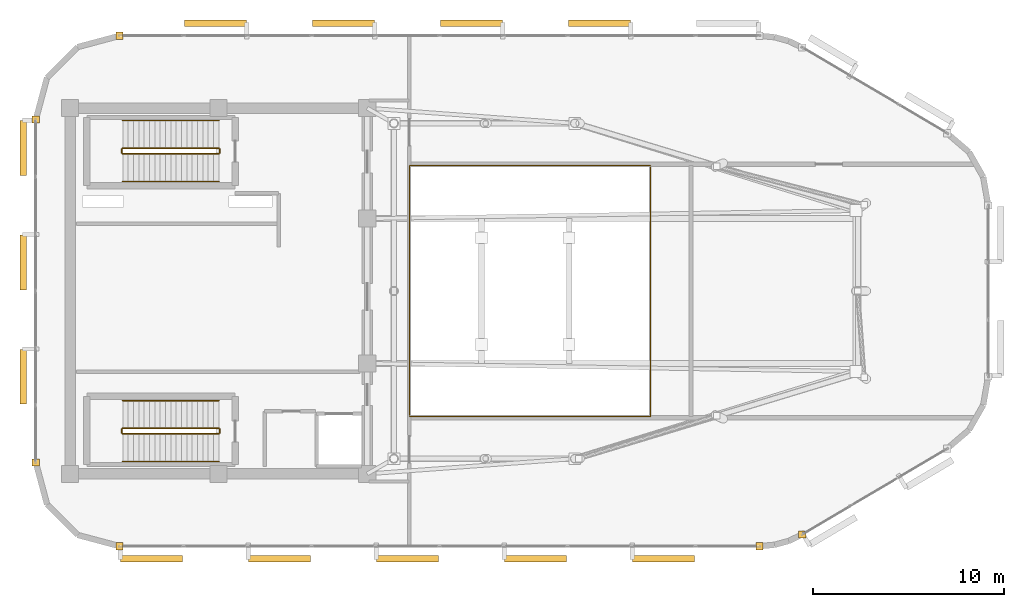
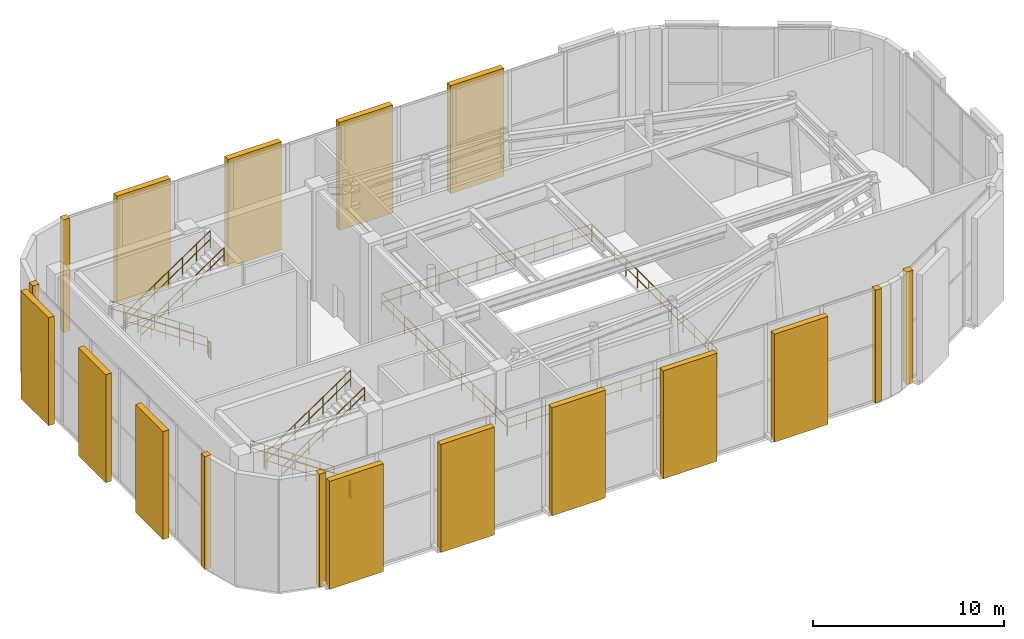
# One storey, part 19 of 20: 14 railings, 12 shading devices, 6 coverings.
"""IFC4 building model written with IfcOpenShell, lengths in metres."""

from ifc_helpers import new_model, si_unit, direction, frame, origin, origin_2d, place, context, subcontext, project, spatial, rectangle, circle, extrude, material, layer, layer_set, type_object, element, save


model = new_model("IFC4")

# Units and contexts
model_context = context("Model", 3, precision=1e-05, world=origin(), true_north=direction((0.0, 1.0)))
body_context = subcontext(model_context, "Body", "Model", "MODEL_VIEW")
ifc_project = project(units=[si_unit("LENGTHUNIT", "METRE"), si_unit("AREAUNIT", "SQUARE_METRE"), si_unit("VOLUMEUNIT", "CUBIC_METRE"), si_unit("PLANEANGLEUNIT", "RADIAN"), si_unit("MASSUNIT", "GRAM", prefix="KILO")], contexts=[model_context])

# Site, building, storey
site_placement = place(None, origin())
site = spatial("IfcSite", under=ifc_project, at=site_placement, CompositionType="ELEMENT")
building_placement = place(site_placement, origin())
building = spatial("IfcBuilding", under=site, at=building_placement, Name="An Khanh Terracotta Commons", CompositionType="ELEMENT")
storey_placement = place(building_placement, frame((0.0, 0.0, 308.0)))
storey = spatial("IfcBuildingStorey", under=building, at=storey_placement, Name="L79 Crown Damper Gallery", CompositionType="ELEMENT", Elevation=308.0)

# Coverings
ifc_material_1 = material(Name="Fired Terracotta Rainscreen Cladding", Category="masonry")
ifc_layer = layer(ifc_material_1, 0.080078125, Name="Fired Terracotta Rainscreen Cladding")
ifc_layer_set = layer_set([ifc_layer], Name="Fired Terracotta Rainscreen Cladding")
covering_type = type_object("IfcCoveringType", Name="COV-JAMB-TERRA", PredefinedType="CLADDING", material=ifc_layer_set)
for number, where, z_axis, x_axis, name in (
    (1, (24.199951171875, 10.60009765625, 0.0), (0.0, 0.0, 1.0), (1.0, 0.0, 0.0), "L79 Crown Damper Gallery CW-05 Curtain-Wall Jamb Closure JA"),
    (2, (57.7939453125, 10.60009765625, 0.0), (0.0, 0.0, 1.0), (1.0, 0.0, 0.0), "L79 Crown Damper Gallery CW-05 Curtain-Wall Jamb Closure JB"),
    (3, (60.037109375, 11.215087890625, 0.0), (0.0, 0.0, 1.0), (1.0, 0.0, 0.0), "L79 Crown Damper Gallery CW-05 Curtain-Wall Jamb Closure JA"),
    (4, (24.199951171875, 37.39990234375, 0.0), (0.0, 0.0, 1.0), (1.0, 0.0, 0.0), "L79 Crown Damper Gallery CW-05 Curtain-Wall Jamb Closure JB"),
    (5, (19.800048828125, 33.0, 0.0), (0.0, 0.0, 1.0), (1.0, 0.0, 0.0), "L79 Crown Damper Gallery CW-05 Curtain-Wall Jamb Closure JA"),
    (6, (19.800048828125, 15.0, 0.0), (0.0, 0.0, 1.0), (1.0, 0.0, 0.0), "L79 Crown Damper Gallery CW-05 Curtain-Wall Jamb Closure JB"),
):
    element("IfcCovering", number, at=place(storey_placement, frame(where, z_axis=z_axis, x_axis=x_axis)), inside=storey, type_object=covering_type, Name=name, PredefinedType="CLADDING", context=body_context, shape_type="SweptSolid", body=[
        extrude(rectangle(XDim=0.3798828125, YDim=0.3798828125, at=origin_2d()), origin(), (0.0, 0.0, 1.0), 7.199951171875),
    ])

# Railings
ifc_material_2 = material(Name="Brushed Stainless Steel 316", Category="steel")
railing_type_1 = type_object("IfcRailingType", Name="RAIL-HANDRAIL-900", PredefinedType="HANDRAIL", material=ifc_material_2)
railing_1_placement = place(storey_placement, frame((29.409912109375, 32.949951171875, 0.189453125)))
element("IfcRailing", 7, at=railing_1_placement, inside=storey, type_object=railing_type_1, Name="L79 Crown Damper Gallery ST-01 stair handrail 1", PredefinedType="HANDRAIL", context=body_context, shape_type="SweptSolid", body=[
    extrude(circle(Radius=0.02392578125, at=origin_2d()), frame((0.0, 0.0, 0.8759765625), z_axis=(-0.828178803294, 0.0, 0.560463977233), x_axis=(0.0, -1.0, 0.0)), (0.0, 0.0, 1.0), 6.08544921875),
    extrude(circle(Radius=0.02392578125, at=origin_2d()), frame((0.0, 0.0, 0.42578125), z_axis=(-0.828178803294, 0.0, 0.560463977233), x_axis=(0.0, -1.0, 0.0)), (0.0, 0.0, 1.0), 6.08544921875),
    extrude(circle(Radius=0.02099609375, at=origin_2d()), origin(), (0.0, 0.0, 1.0), 0.851806640625),
    extrude(circle(Radius=0.02099609375, at=origin_2d()), frame((-0.83984375, 0.0, 0.568359375)), (0.0, 0.0, 1.0), 0.851806640625),
    extrude(circle(Radius=0.02099609375, at=origin_2d()), frame((-1.679931640625, 0.0, 1.136962890625)), (0.0, 0.0, 1.0), 0.851806640625),
    extrude(circle(Radius=0.02099609375, at=origin_2d()), frame((-2.52001953125, 0.0, 1.705322265625)), (0.0, 0.0, 1.0), 0.851806640625),
    extrude(circle(Radius=0.02099609375, at=origin_2d()), frame((-3.35986328125, 0.0, 2.273681640625)), (0.0, 0.0, 1.0), 0.851806640625),
    extrude(circle(Radius=0.02099609375, at=origin_2d()), frame((-4.19970703125, 0.0, 2.84228515625)), (0.0, 0.0, 1.0), 0.851806640625),
    extrude(circle(Radius=0.02099609375, at=origin_2d()), frame((-5.039794921875, 0.0, 3.41064453125)), (0.0, 0.0, 1.0), 0.851806640625),
])
railing_2_placement = place(storey_placement, frame((24.3701171875, 29.75, 3.78955078125)))
element("IfcRailing", 8, at=railing_2_placement, inside=storey, type_object=railing_type_1, Name="L79 Crown Damper Gallery ST-01 stair handrail 2", PredefinedType="HANDRAIL", context=body_context, shape_type="SweptSolid", body=[
    extrude(circle(Radius=0.02392578125, at=origin_2d()), frame((0.0, 0.0, 0.8759765625), z_axis=(0.828197425118, 0.0, 0.560436459404), x_axis=(0.0, 1.0, 0.0)), (0.0, 0.0, 1.0), 6.085205078125),
    extrude(circle(Radius=0.02392578125, at=origin_2d()), frame((0.0, 0.0, 0.42578125), z_axis=(0.828197425118, 0.0, 0.560436459404), x_axis=(0.0, 1.0, 0.0)), (0.0, 0.0, 1.0), 6.085205078125),
    extrude(circle(Radius=0.02099609375, at=origin_2d()), origin(), (0.0, 0.0, 1.0), 0.851806640625),
    extrude(circle(Radius=0.02099609375, at=origin_2d()), frame((0.83984375, 0.0, 0.568359375)), (0.0, 0.0, 1.0), 0.851806640625),
    extrude(circle(Radius=0.02099609375, at=origin_2d()), frame((1.679931640625, 0.0, 1.13671875)), (0.0, 0.0, 1.0), 0.851806640625),
    extrude(circle(Radius=0.02099609375, at=origin_2d()), frame((2.52001953125, 0.0, 1.705078125)), (0.0, 0.0, 1.0), 0.851806640625),
    extrude(circle(Radius=0.02099609375, at=origin_2d()), frame((3.35986328125, 0.0, 2.273681640625)), (0.0, 0.0, 1.0), 0.851806640625),
    extrude(circle(Radius=0.02099609375, at=origin_2d()), frame((4.19970703125, 0.0, 2.842041015625)), (0.0, 0.0, 1.0), 0.851806640625),
    extrude(circle(Radius=0.02099609375, at=origin_2d()), frame((5.039794921875, 0.0, 3.410400390625)), (0.0, 0.0, 1.0), 0.851806640625),
])
railing_3_placement = place(storey_placement, frame((29.409912109375, 18.25, 0.189453125)))
element("IfcRailing", 9, at=railing_3_placement, inside=storey, type_object=railing_type_1, Name="L79 Crown Damper Gallery ST-02 stair handrail 1", PredefinedType="HANDRAIL", context=body_context, shape_type="SweptSolid", body=[
    extrude(circle(Radius=0.02392578125, at=origin_2d()), frame((0.0, 0.0, 0.8759765625), z_axis=(-0.828178803294, 0.0, 0.560463977233), x_axis=(0.0, -1.0, 0.0)), (0.0, 0.0, 1.0), 6.08544921875),
    extrude(circle(Radius=0.02392578125, at=origin_2d()), frame((0.0, 0.0, 0.42578125), z_axis=(-0.828178803294, 0.0, 0.560463977233), x_axis=(0.0, -1.0, 0.0)), (0.0, 0.0, 1.0), 6.08544921875),
    extrude(circle(Radius=0.02099609375, at=origin_2d()), origin(), (0.0, 0.0, 1.0), 0.851806640625),
    extrude(circle(Radius=0.02099609375, at=origin_2d()), frame((-0.83984375, 0.0, 0.568359375)), (0.0, 0.0, 1.0), 0.851806640625),
    extrude(circle(Radius=0.02099609375, at=origin_2d()), frame((-1.679931640625, 0.0, 1.136962890625)), (0.0, 0.0, 1.0), 0.851806640625),
    extrude(circle(Radius=0.02099609375, at=origin_2d()), frame((-2.52001953125, 0.0, 1.705322265625)), (0.0, 0.0, 1.0), 0.851806640625),
    extrude(circle(Radius=0.02099609375, at=origin_2d()), frame((-3.35986328125, 0.0, 2.273681640625)), (0.0, 0.0, 1.0), 0.851806640625),
    extrude(circle(Radius=0.02099609375, at=origin_2d()), frame((-4.19970703125, 0.0, 2.84228515625)), (0.0, 0.0, 1.0), 0.851806640625),
    extrude(circle(Radius=0.02099609375, at=origin_2d()), frame((-5.039794921875, 0.0, 3.41064453125)), (0.0, 0.0, 1.0), 0.851806640625),
])
railing_4_placement = place(storey_placement, frame((24.3701171875, 15.050048828125, 3.78955078125)))
element("IfcRailing", 10, at=railing_4_placement, inside=storey, type_object=railing_type_1, Name="L79 Crown Damper Gallery ST-02 stair handrail 2", PredefinedType="HANDRAIL", context=body_context, shape_type="SweptSolid", body=[
    extrude(circle(Radius=0.02392578125, at=origin_2d()), frame((0.0, 0.0, 0.8759765625), z_axis=(0.828197425118, 0.0, 0.560436459404), x_axis=(0.0, 1.0, 0.0)), (0.0, 0.0, 1.0), 6.085205078125),
    extrude(circle(Radius=0.02392578125, at=origin_2d()), frame((0.0, 0.0, 0.42578125), z_axis=(0.828197425118, 0.0, 0.560436459404), x_axis=(0.0, 1.0, 0.0)), (0.0, 0.0, 1.0), 6.085205078125),
    extrude(circle(Radius=0.02099609375, at=origin_2d()), origin(), (0.0, 0.0, 1.0), 0.851806640625),
    extrude(circle(Radius=0.02099609375, at=origin_2d()), frame((0.83984375, 0.0, 0.568359375)), (0.0, 0.0, 1.0), 0.851806640625),
    extrude(circle(Radius=0.02099609375, at=origin_2d()), frame((1.679931640625, 0.0, 1.13671875)), (0.0, 0.0, 1.0), 0.851806640625),
    extrude(circle(Radius=0.02099609375, at=origin_2d()), frame((2.52001953125, 0.0, 1.705078125)), (0.0, 0.0, 1.0), 0.851806640625),
    extrude(circle(Radius=0.02099609375, at=origin_2d()), frame((3.35986328125, 0.0, 2.273681640625)), (0.0, 0.0, 1.0), 0.851806640625),
    extrude(circle(Radius=0.02099609375, at=origin_2d()), frame((4.19970703125, 0.0, 2.842041015625)), (0.0, 0.0, 1.0), 0.851806640625),
    extrude(circle(Radius=0.02099609375, at=origin_2d()), frame((5.039794921875, 0.0, 3.410400390625)), (0.0, 0.0, 1.0), 0.851806640625),
])
ifc_material_3 = material(Name="Powder-Coated Steel S355J2", Category="steel")
railing_type_2 = type_object("IfcRailingType", Name="RAIL-STAIR-GUARD-1100", PredefinedType="BALUSTRADE", material=ifc_material_3)
railing_5_placement = place(storey_placement, frame((29.409912109375, 31.5, 0.189453125)))
element("IfcRailing", 11, at=railing_5_placement, inside=storey, type_object=railing_type_2, Name="L79 Crown Damper Gallery ST-01 stair guard 1", PredefinedType="BALUSTRADE", context=body_context, shape_type="SweptSolid", body=[
    extrude(circle(Radius=0.02392578125, at=origin_2d()), frame((0.0, 0.0, 1.076171875), z_axis=(-0.828178803294, 0.0, 0.560463977233), x_axis=(0.0, -1.0, 0.0)), (0.0, 0.0, 1.0), 6.08544921875),
    extrude(circle(Radius=0.02392578125, at=origin_2d()), frame((0.0, 0.0, 0.52587890625), z_axis=(-0.828178803294, 0.0, 0.560463977233), x_axis=(0.0, -1.0, 0.0)), (0.0, 0.0, 1.0), 6.08544921875),
    extrude(circle(Radius=0.02099609375, at=origin_2d()), origin(), (0.0, 0.0, 1.0), 1.052001953125),
    extrude(circle(Radius=0.02099609375, at=origin_2d()), frame((-0.83984375, 0.0, 0.568359375)), (0.0, 0.0, 1.0), 1.052001953125),
    extrude(circle(Radius=0.02099609375, at=origin_2d()), frame((-1.679931640625, 0.0, 1.136962890625)), (0.0, 0.0, 1.0), 1.052001953125),
    extrude(circle(Radius=0.02099609375, at=origin_2d()), frame((-2.52001953125, 0.0, 1.705322265625)), (0.0, 0.0, 1.0), 1.052001953125),
    extrude(circle(Radius=0.02099609375, at=origin_2d()), frame((-3.35986328125, 0.0, 2.273681640625)), (0.0, 0.0, 1.0), 1.052001953125),
    extrude(circle(Radius=0.02099609375, at=origin_2d()), frame((-4.19970703125, 0.0, 2.84228515625)), (0.0, 0.0, 1.0), 1.052001953125),
    extrude(circle(Radius=0.02099609375, at=origin_2d()), frame((-5.039794921875, 0.0, 3.41064453125)), (0.0, 0.0, 1.0), 1.052001953125),
])
railing_6_placement = place(storey_placement, frame((24.320068359375, 31.449951171875, 3.60009765625)))
element("IfcRailing", 12, at=railing_6_placement, inside=storey, type_object=railing_type_2, Name="L79 Crown Damper Gallery ST-01 stair guard 2", PredefinedType="BALUSTRADE", context=body_context, shape_type="SweptSolid", body=[
    extrude(circle(Radius=0.02392578125, at=origin_2d()), frame((0.0, 0.0, 1.076171875), z_axis=(0.0, -1.0, 0.0), x_axis=(1.0, 0.0, 0.0)), (0.0, 0.0, 1.0), 0.199951171875),
    extrude(circle(Radius=0.02392578125, at=origin_2d()), frame((0.0, 0.0, 0.52587890625), z_axis=(0.0, -1.0, 0.0), x_axis=(1.0, 0.0, 0.0)), (0.0, 0.0, 1.0), 0.199951171875),
    extrude(circle(Radius=0.02099609375, at=origin_2d()), origin(), (0.0, 0.0, 1.0), 1.052001953125),
    extrude(circle(Radius=0.02099609375, at=origin_2d()), frame((0.0, -0.199951171875, 0.0)), (0.0, 0.0, 1.0), 1.052001953125),
])
railing_7_placement = place(storey_placement, frame((24.3701171875, 31.199951171875, 3.78955078125)))
element("IfcRailing", 13, at=railing_7_placement, inside=storey, type_object=railing_type_2, Name="L79 Crown Damper Gallery ST-01 stair guard 3", PredefinedType="BALUSTRADE", context=body_context, shape_type="SweptSolid", body=[
    extrude(circle(Radius=0.02392578125, at=origin_2d()), frame((0.0, 0.0, 1.076171875), z_axis=(0.828197425118, 0.0, 0.560436459404), x_axis=(0.0, 1.0, 0.0)), (0.0, 0.0, 1.0), 6.085205078125),
    extrude(circle(Radius=0.02392578125, at=origin_2d()), frame((0.0, 0.0, 0.52587890625), z_axis=(0.828197425118, 0.0, 0.560436459404), x_axis=(0.0, 1.0, 0.0)), (0.0, 0.0, 1.0), 6.085205078125),
    extrude(circle(Radius=0.02099609375, at=origin_2d()), origin(), (0.0, 0.0, 1.0), 1.052001953125),
    extrude(circle(Radius=0.02099609375, at=origin_2d()), frame((0.83984375, 0.0, 0.568359375)), (0.0, 0.0, 1.0), 1.052001953125),
    extrude(circle(Radius=0.02099609375, at=origin_2d()), frame((1.679931640625, 0.0, 1.13671875)), (0.0, 0.0, 1.0), 1.052001953125),
    extrude(circle(Radius=0.02099609375, at=origin_2d()), frame((2.52001953125, 0.0, 1.705078125)), (0.0, 0.0, 1.0), 1.052001953125),
    extrude(circle(Radius=0.02099609375, at=origin_2d()), frame((3.35986328125, 0.0, 2.273681640625)), (0.0, 0.0, 1.0), 1.052001953125),
    extrude(circle(Radius=0.02099609375, at=origin_2d()), frame((4.19970703125, 0.0, 2.842041015625)), (0.0, 0.0, 1.0), 1.052001953125),
    extrude(circle(Radius=0.02099609375, at=origin_2d()), frame((5.039794921875, 0.0, 3.410400390625)), (0.0, 0.0, 1.0), 1.052001953125),
])
railing_8_placement = place(storey_placement, frame((29.4599609375, 31.449951171875, 0.0)))
element("IfcRailing", 14, at=railing_8_placement, inside=storey, type_object=railing_type_2, Name="L79 Crown Damper Gallery ST-01 stair guard 4", PredefinedType="BALUSTRADE", context=body_context, shape_type="SweptSolid", body=[
    extrude(circle(Radius=0.02392578125, at=origin_2d()), frame((0.0, 0.0, 1.076171875), z_axis=(0.0, -1.0, 0.0), x_axis=(1.0, 0.0, 0.0)), (0.0, 0.0, 1.0), 0.199951171875),
    extrude(circle(Radius=0.02392578125, at=origin_2d()), frame((0.0, 0.0, 0.52587890625), z_axis=(0.0, -1.0, 0.0), x_axis=(1.0, 0.0, 0.0)), (0.0, 0.0, 1.0), 0.199951171875),
    extrude(circle(Radius=0.02099609375, at=origin_2d()), origin(), (0.0, 0.0, 1.0), 1.052001953125),
    extrude(circle(Radius=0.02099609375, at=origin_2d()), frame((0.0, -0.199951171875, 0.0)), (0.0, 0.0, 1.0), 1.052001953125),
])
railing_9_placement = place(storey_placement, frame((29.409912109375, 16.800048828125, 0.189453125)))
element("IfcRailing", 15, at=railing_9_placement, inside=storey, type_object=railing_type_2, Name="L79 Crown Damper Gallery ST-02 stair guard 1", PredefinedType="BALUSTRADE", context=body_context, shape_type="SweptSolid", body=[
    extrude(circle(Radius=0.02392578125, at=origin_2d()), frame((0.0, 0.0, 1.076171875), z_axis=(-0.828178803294, 0.0, 0.560463977233), x_axis=(0.0, -1.0, 0.0)), (0.0, 0.0, 1.0), 6.08544921875),
    extrude(circle(Radius=0.02392578125, at=origin_2d()), frame((0.0, 0.0, 0.52587890625), z_axis=(-0.828178803294, 0.0, 0.560463977233), x_axis=(0.0, -1.0, 0.0)), (0.0, 0.0, 1.0), 6.08544921875),
    extrude(circle(Radius=0.02099609375, at=origin_2d()), origin(), (0.0, 0.0, 1.0), 1.052001953125),
    extrude(circle(Radius=0.02099609375, at=origin_2d()), frame((-0.83984375, 0.0, 0.568359375)), (0.0, 0.0, 1.0), 1.052001953125),
    extrude(circle(Radius=0.02099609375, at=origin_2d()), frame((-1.679931640625, 0.0, 1.136962890625)), (0.0, 0.0, 1.0), 1.052001953125),
    extrude(circle(Radius=0.02099609375, at=origin_2d()), frame((-2.52001953125, 0.0, 1.705322265625)), (0.0, 0.0, 1.0), 1.052001953125),
    extrude(circle(Radius=0.02099609375, at=origin_2d()), frame((-3.35986328125, 0.0, 2.273681640625)), (0.0, 0.0, 1.0), 1.052001953125),
    extrude(circle(Radius=0.02099609375, at=origin_2d()), frame((-4.19970703125, 0.0, 2.84228515625)), (0.0, 0.0, 1.0), 1.052001953125),
    extrude(circle(Radius=0.02099609375, at=origin_2d()), frame((-5.039794921875, 0.0, 3.41064453125)), (0.0, 0.0, 1.0), 1.052001953125),
])
railing_10_placement = place(storey_placement, frame((24.320068359375, 16.75, 3.60009765625)))
element("IfcRailing", 16, at=railing_10_placement, inside=storey, type_object=railing_type_2, Name="L79 Crown Damper Gallery ST-02 stair guard 2", PredefinedType="BALUSTRADE", context=body_context, shape_type="SweptSolid", body=[
    extrude(circle(Radius=0.02392578125, at=origin_2d()), frame((0.0, 0.0, 1.076171875), z_axis=(0.0, -1.0, 0.0), x_axis=(1.0, 0.0, 0.0)), (0.0, 0.0, 1.0), 0.199951171875),
    extrude(circle(Radius=0.02392578125, at=origin_2d()), frame((0.0, 0.0, 0.52587890625), z_axis=(0.0, -1.0, 0.0), x_axis=(1.0, 0.0, 0.0)), (0.0, 0.0, 1.0), 0.199951171875),
    extrude(circle(Radius=0.02099609375, at=origin_2d()), origin(), (0.0, 0.0, 1.0), 1.052001953125),
    extrude(circle(Radius=0.02099609375, at=origin_2d()), frame((0.0, -0.199951171875, 0.0)), (0.0, 0.0, 1.0), 1.052001953125),
])
railing_11_placement = place(storey_placement, frame((24.3701171875, 16.5, 3.78955078125)))
element("IfcRailing", 17, at=railing_11_placement, inside=storey, type_object=railing_type_2, Name="L79 Crown Damper Gallery ST-02 stair guard 3", PredefinedType="BALUSTRADE", context=body_context, shape_type="SweptSolid", body=[
    extrude(circle(Radius=0.02392578125, at=origin_2d()), frame((0.0, 0.0, 1.076171875), z_axis=(0.828197425118, 0.0, 0.560436459404), x_axis=(0.0, 1.0, 0.0)), (0.0, 0.0, 1.0), 6.085205078125),
    extrude(circle(Radius=0.02392578125, at=origin_2d()), frame((0.0, 0.0, 0.52587890625), z_axis=(0.828197425118, 0.0, 0.560436459404), x_axis=(0.0, 1.0, 0.0)), (0.0, 0.0, 1.0), 6.085205078125),
    extrude(circle(Radius=0.02099609375, at=origin_2d()), origin(), (0.0, 0.0, 1.0), 1.052001953125),
    extrude(circle(Radius=0.02099609375, at=origin_2d()), frame((0.83984375, 0.0, 0.568359375)), (0.0, 0.0, 1.0), 1.052001953125),
    extrude(circle(Radius=0.02099609375, at=origin_2d()), frame((1.679931640625, 0.0, 1.13671875)), (0.0, 0.0, 1.0), 1.052001953125),
    extrude(circle(Radius=0.02099609375, at=origin_2d()), frame((2.52001953125, 0.0, 1.705078125)), (0.0, 0.0, 1.0), 1.052001953125),
    extrude(circle(Radius=0.02099609375, at=origin_2d()), frame((3.35986328125, 0.0, 2.273681640625)), (0.0, 0.0, 1.0), 1.052001953125),
    extrude(circle(Radius=0.02099609375, at=origin_2d()), frame((4.19970703125, 0.0, 2.842041015625)), (0.0, 0.0, 1.0), 1.052001953125),
    extrude(circle(Radius=0.02099609375, at=origin_2d()), frame((5.039794921875, 0.0, 3.410400390625)), (0.0, 0.0, 1.0), 1.052001953125),
])
railing_12_placement = place(storey_placement, frame((29.4599609375, 16.75, 0.0)))
element("IfcRailing", 18, at=railing_12_placement, inside=storey, type_object=railing_type_2, Name="L79 Crown Damper Gallery ST-02 stair guard 4", PredefinedType="BALUSTRADE", context=body_context, shape_type="SweptSolid", body=[
    extrude(circle(Radius=0.02392578125, at=origin_2d()), frame((0.0, 0.0, 1.076171875), z_axis=(0.0, -1.0, 0.0), x_axis=(1.0, 0.0, 0.0)), (0.0, 0.0, 1.0), 0.199951171875),
    extrude(circle(Radius=0.02392578125, at=origin_2d()), frame((0.0, 0.0, 0.52587890625), z_axis=(0.0, -1.0, 0.0), x_axis=(1.0, 0.0, 0.0)), (0.0, 0.0, 1.0), 0.199951171875),
    extrude(circle(Radius=0.02099609375, at=origin_2d()), origin(), (0.0, 0.0, 1.0), 1.052001953125),
    extrude(circle(Radius=0.02099609375, at=origin_2d()), frame((0.0, -0.199951171875, 0.0)), (0.0, 0.0, 1.0), 1.052001953125),
])
railing_type_3 = type_object("IfcRailingType", Name="RAIL-WINDSLOT-1150", PredefinedType="BALUSTRADE", material=ifc_material_2)
railing_13_placement = place(storey_placement, frame((39.419921875, 17.419921875, 0.0)))
element("IfcRailing", 19, at=railing_13_placement, inside=storey, type_object=railing_type_3, Name="L79 Pendulum Damper Chamber Observation Balustrade South-East", PredefinedType="BALUSTRADE", context=body_context, shape_type="SweptSolid", body=[
    extrude(circle(Radius=0.02392578125, at=origin_2d()), frame((0.0, 0.0, 1.1259765625), z_axis=(1.0, 0.0, 0.0), x_axis=(0.0, 1.0, 0.0)), (0.0, 0.0, 1.0), 12.66015625),
    extrude(circle(Radius=0.02392578125, at=origin_2d()), frame((0.0, 0.0, 0.55078125), z_axis=(1.0, 0.0, 0.0), x_axis=(0.0, 1.0, 0.0)), (0.0, 0.0, 1.0), 12.66015625),
    extrude(circle(Radius=0.02392578125, at=origin_2d()), frame((12.66015625, 0.0, 1.1259765625), z_axis=(0.0, 1.0, 0.0), x_axis=(-1.0, 0.0, 0.0)), (0.0, 0.0, 1.0), 13.10009765625),
    extrude(circle(Radius=0.02392578125, at=origin_2d()), frame((12.66015625, 0.0, 0.55078125), z_axis=(0.0, 1.0, 0.0), x_axis=(-1.0, 0.0, 0.0)), (0.0, 0.0, 1.0), 13.10009765625),
    extrude(circle(Radius=0.02099609375, at=origin_2d()), origin(), (0.0, 0.0, 1.0), 1.101806640625),
    extrude(circle(Radius=0.02099609375, at=origin_2d()), frame((1.15087890625, 0.0, 0.0)), (0.0, 0.0, 1.0), 1.101806640625),
    extrude(circle(Radius=0.02099609375, at=origin_2d()), frame((2.3017578125, 0.0, 0.0)), (0.0, 0.0, 1.0), 1.101806640625),
    extrude(circle(Radius=0.02099609375, at=origin_2d()), frame((3.452880859375, 0.0, 0.0)), (0.0, 0.0, 1.0), 1.101806640625),
    extrude(circle(Radius=0.02099609375, at=origin_2d()), frame((4.603759765625, 0.0, 0.0)), (0.0, 0.0, 1.0), 1.101806640625),
    extrude(circle(Radius=0.02099609375, at=origin_2d()), frame((5.754638671875, 0.0, 0.0)), (0.0, 0.0, 1.0), 1.101806640625),
    extrude(circle(Radius=0.02099609375, at=origin_2d()), frame((6.905517578125, 0.0, 0.0)), (0.0, 0.0, 1.0), 1.101806640625),
    extrude(circle(Radius=0.02099609375, at=origin_2d()), frame((8.056396484375, 0.0, 0.0)), (0.0, 0.0, 1.0), 1.101806640625),
    extrude(circle(Radius=0.02099609375, at=origin_2d()), frame((9.207275390625, 0.0, 0.0)), (0.0, 0.0, 1.0), 1.101806640625),
    extrude(circle(Radius=0.02099609375, at=origin_2d()), frame((10.3583984375, 0.0, 0.0)), (0.0, 0.0, 1.0), 1.101806640625),
    extrude(circle(Radius=0.02099609375, at=origin_2d()), frame((11.50927734375, 0.0, 0.0)), (0.0, 0.0, 1.0), 1.101806640625),
    extrude(circle(Radius=0.02099609375, at=origin_2d()), frame((12.66015625, 0.0, 0.0)), (0.0, 0.0, 1.0), 1.101806640625),
    extrude(circle(Radius=0.02099609375, at=origin_2d()), frame((12.66015625, 1.19091796875, 0.0)), (0.0, 0.0, 1.0), 1.101806640625),
    extrude(circle(Radius=0.02099609375, at=origin_2d()), frame((12.66015625, 2.3818359375, 0.0)), (0.0, 0.0, 1.0), 1.101806640625),
    extrude(circle(Radius=0.02099609375, at=origin_2d()), frame((12.66015625, 3.57275390625, 0.0)), (0.0, 0.0, 1.0), 1.101806640625),
    extrude(circle(Radius=0.02099609375, at=origin_2d()), frame((12.66015625, 4.763671875, 0.0)), (0.0, 0.0, 1.0), 1.101806640625),
    extrude(circle(Radius=0.02099609375, at=origin_2d()), frame((12.66015625, 5.95458984375, 0.0)), (0.0, 0.0, 1.0), 1.101806640625),
    extrude(circle(Radius=0.02099609375, at=origin_2d()), frame((12.66015625, 7.1455078125, 0.0)), (0.0, 0.0, 1.0), 1.101806640625),
    extrude(circle(Radius=0.02099609375, at=origin_2d()), frame((12.66015625, 8.33642578125, 0.0)), (0.0, 0.0, 1.0), 1.101806640625),
    extrude(circle(Radius=0.02099609375, at=origin_2d()), frame((12.66015625, 9.52734375, 0.0)), (0.0, 0.0, 1.0), 1.101806640625),
    extrude(circle(Radius=0.02099609375, at=origin_2d()), frame((12.66015625, 10.71826171875, 0.0)), (0.0, 0.0, 1.0), 1.101806640625),
    extrude(circle(Radius=0.02099609375, at=origin_2d()), frame((12.66015625, 11.9091796875, 0.0)), (0.0, 0.0, 1.0), 1.101806640625),
    extrude(circle(Radius=0.02099609375, at=origin_2d()), frame((12.66015625, 13.10009765625, 0.0)), (0.0, 0.0, 1.0), 1.101806640625),
])
railing_14_placement = place(storey_placement, frame((52.080078125, 30.580078125, 0.0)))
element("IfcRailing", 20, at=railing_14_placement, inside=storey, type_object=railing_type_3, Name="L79 Pendulum Damper Chamber Observation Balustrade North-West", PredefinedType="BALUSTRADE", context=body_context, shape_type="SweptSolid", body=[
    extrude(circle(Radius=0.02392578125, at=origin_2d()), frame((0.0, 0.0, 1.1259765625), z_axis=(-1.0, 0.0, 0.0), x_axis=(0.0, -1.0, 0.0)), (0.0, 0.0, 1.0), 12.66015625),
    extrude(circle(Radius=0.02392578125, at=origin_2d()), frame((0.0, 0.0, 0.55078125), z_axis=(-1.0, 0.0, 0.0), x_axis=(0.0, -1.0, 0.0)), (0.0, 0.0, 1.0), 12.66015625),
    extrude(circle(Radius=0.02392578125, at=origin_2d()), frame((-12.66015625, 0.0, 1.1259765625), z_axis=(0.0, -1.0, 0.0), x_axis=(1.0, 0.0, 0.0)), (0.0, 0.0, 1.0), 13.10009765625),
    extrude(circle(Radius=0.02392578125, at=origin_2d()), frame((-12.66015625, 0.0, 0.55078125), z_axis=(0.0, -1.0, 0.0), x_axis=(1.0, 0.0, 0.0)), (0.0, 0.0, 1.0), 13.10009765625),
    extrude(circle(Radius=0.02099609375, at=origin_2d()), origin(), (0.0, 0.0, 1.0), 1.101806640625),
    extrude(circle(Radius=0.02099609375, at=origin_2d()), frame((-1.15087890625, 0.0, 0.0)), (0.0, 0.0, 1.0), 1.101806640625),
    extrude(circle(Radius=0.02099609375, at=origin_2d()), frame((-2.3017578125, 0.0, 0.0)), (0.0, 0.0, 1.0), 1.101806640625),
    extrude(circle(Radius=0.02099609375, at=origin_2d()), frame((-3.452880859375, 0.0, 0.0)), (0.0, 0.0, 1.0), 1.101806640625),
    extrude(circle(Radius=0.02099609375, at=origin_2d()), frame((-4.603759765625, 0.0, 0.0)), (0.0, 0.0, 1.0), 1.101806640625),
    extrude(circle(Radius=0.02099609375, at=origin_2d()), frame((-5.754638671875, 0.0, 0.0)), (0.0, 0.0, 1.0), 1.101806640625),
    extrude(circle(Radius=0.02099609375, at=origin_2d()), frame((-6.905517578125, 0.0, 0.0)), (0.0, 0.0, 1.0), 1.101806640625),
    extrude(circle(Radius=0.02099609375, at=origin_2d()), frame((-8.056396484375, 0.0, 0.0)), (0.0, 0.0, 1.0), 1.101806640625),
    extrude(circle(Radius=0.02099609375, at=origin_2d()), frame((-9.207275390625, 0.0, 0.0)), (0.0, 0.0, 1.0), 1.101806640625),
    extrude(circle(Radius=0.02099609375, at=origin_2d()), frame((-10.3583984375, 0.0, 0.0)), (0.0, 0.0, 1.0), 1.101806640625),
    extrude(circle(Radius=0.02099609375, at=origin_2d()), frame((-11.50927734375, 0.0, 0.0)), (0.0, 0.0, 1.0), 1.101806640625),
    extrude(circle(Radius=0.02099609375, at=origin_2d()), frame((-12.66015625, 0.0, 0.0)), (0.0, 0.0, 1.0), 1.101806640625),
    extrude(circle(Radius=0.02099609375, at=origin_2d()), frame((-12.66015625, -1.19091796875, 0.0)), (0.0, 0.0, 1.0), 1.101806640625),
    extrude(circle(Radius=0.02099609375, at=origin_2d()), frame((-12.66015625, -2.3818359375, 0.0)), (0.0, 0.0, 1.0), 1.101806640625),
    extrude(circle(Radius=0.02099609375, at=origin_2d()), frame((-12.66015625, -3.57275390625, 0.0)), (0.0, 0.0, 1.0), 1.101806640625),
    extrude(circle(Radius=0.02099609375, at=origin_2d()), frame((-12.66015625, -4.763671875, 0.0)), (0.0, 0.0, 1.0), 1.101806640625),
    extrude(circle(Radius=0.02099609375, at=origin_2d()), frame((-12.66015625, -5.95458984375, 0.0)), (0.0, 0.0, 1.0), 1.101806640625),
    extrude(circle(Radius=0.02099609375, at=origin_2d()), frame((-12.66015625, -7.1455078125, 0.0)), (0.0, 0.0, 1.0), 1.101806640625),
    extrude(circle(Radius=0.02099609375, at=origin_2d()), frame((-12.66015625, -8.33642578125, 0.0)), (0.0, 0.0, 1.0), 1.101806640625),
    extrude(circle(Radius=0.02099609375, at=origin_2d()), frame((-12.66015625, -9.52734375, 0.0)), (0.0, 0.0, 1.0), 1.101806640625),
    extrude(circle(Radius=0.02099609375, at=origin_2d()), frame((-12.66015625, -10.71826171875, 0.0)), (0.0, 0.0, 1.0), 1.101806640625),
    extrude(circle(Radius=0.02099609375, at=origin_2d()), frame((-12.66015625, -11.9091796875, 0.0)), (0.0, 0.0, 1.0), 1.101806640625),
    extrude(circle(Radius=0.02099609375, at=origin_2d()), frame((-12.66015625, -13.10009765625, 0.0)), (0.0, 0.0, 1.0), 1.101806640625),
])

# Shading devices
ifc_material_4 = material(Name="Extruded Fired Terracotta", Category="masonry")
shading_device_type = type_object("IfcShadingDeviceType", Name="Terracotta Baguette Screen Assembly", PredefinedType="USERDEFINED", material=ifc_material_4)
for number, where, z_axis, x_axis, name in (
    (21, (25.8798828125, 9.949951171875, 0.150146484375), (0.0, 0.0, 1.0), (1.0, 0.0, 0.0), "L79 Crown Damper Gallery Terracotta Baguette Screen 1"),
    (22, (32.59912109375, 9.949951171875, 0.150146484375), (0.0, 0.0, 1.0), (1.0, 0.0, 0.0), "L79 Crown Damper Gallery Terracotta Baguette Screen 3"),
    (23, (39.31689453125, 9.949951171875, 0.150146484375), (0.0, 0.0, 1.0), (1.0, 0.0, 0.0), "L79 Crown Damper Gallery Terracotta Baguette Screen 5"),
    (24, (46.035888671875, 9.949951171875, 0.150146484375), (0.0, 0.0, 1.0), (1.0, 0.0, 0.0), "L79 Crown Damper Gallery Terracotta Baguette Screen 7"),
    (25, (52.7548828125, 9.949951171875, 0.150146484375), (0.0, 0.0, 1.0), (1.0, 0.0, 0.0), "L79 Crown Damper Gallery Terracotta Baguette Screen 9"),
    (26, (49.39501953125, 38.050048828125, 0.150146484375), (0.0, 0.0, 1.0), (-1.0, 0.0, 0.0), "L79 Crown Damper Gallery Terracotta Baguette Screen 3"),
    (27, (42.677001953125, 38.050048828125, 0.150146484375), (0.0, 0.0, 1.0), (-1.0, 0.0, 0.0), "L79 Crown Damper Gallery Terracotta Baguette Screen 5"),
    (28, (35.9580078125, 38.050048828125, 0.150146484375), (0.0, 0.0, 1.0), (-1.0, 0.0, 0.0), "L79 Crown Damper Gallery Terracotta Baguette Screen 7"),
    (29, (29.239013671875, 38.050048828125, 0.150146484375), (0.0, 0.0, 1.0), (-1.0, 0.0, 0.0), "L79 Crown Damper Gallery Terracotta Baguette Screen 9"),
):
    element("IfcShadingDevice", number, at=place(storey_placement, frame(where, z_axis=z_axis, x_axis=x_axis)), inside=storey, type_object=shading_device_type, Name=name, ObjectType="BAGUETTE", PredefinedType="USERDEFINED", context=body_context, shape_type="SweptSolid", body=[
        extrude(rectangle(XDim=3.239013671875, YDim=0.35009765625, at=origin_2d()), origin(), (0.0, 0.0, 1.0), 6.89990234375),
    ])
for number, where, z_axis, x_axis, name in (
    (30, (19.14990234375, 31.5, 0.150146484375), (0.0, 0.0, 1.0), (0.0, -1.0, 0.0), "L79 Crown Damper Gallery Terracotta Baguette Screen 1"),
    (31, (19.14990234375, 25.5, 0.150146484375), (0.0, 0.0, 1.0), (0.0, -1.0, 0.0), "L79 Crown Damper Gallery Terracotta Baguette Screen 3"),
    (32, (19.14990234375, 19.5, 0.150146484375), (0.0, 0.0, 1.0), (0.0, -1.0, 0.0), "L79 Crown Damper Gallery Terracotta Baguette Screen 5"),
):
    element("IfcShadingDevice", number, at=place(storey_placement, frame(where, z_axis=z_axis, x_axis=x_axis)), inside=storey, type_object=shading_device_type, Name=name, ObjectType="BAGUETTE", PredefinedType="USERDEFINED", context=body_context, shape_type="SweptSolid", body=[
        extrude(rectangle(XDim=2.8798828125, YDim=0.35009765625, at=origin_2d()), origin(), (0.0, 0.0, 1.0), 6.89990234375),
    ])

save(model, "model.ifc")
